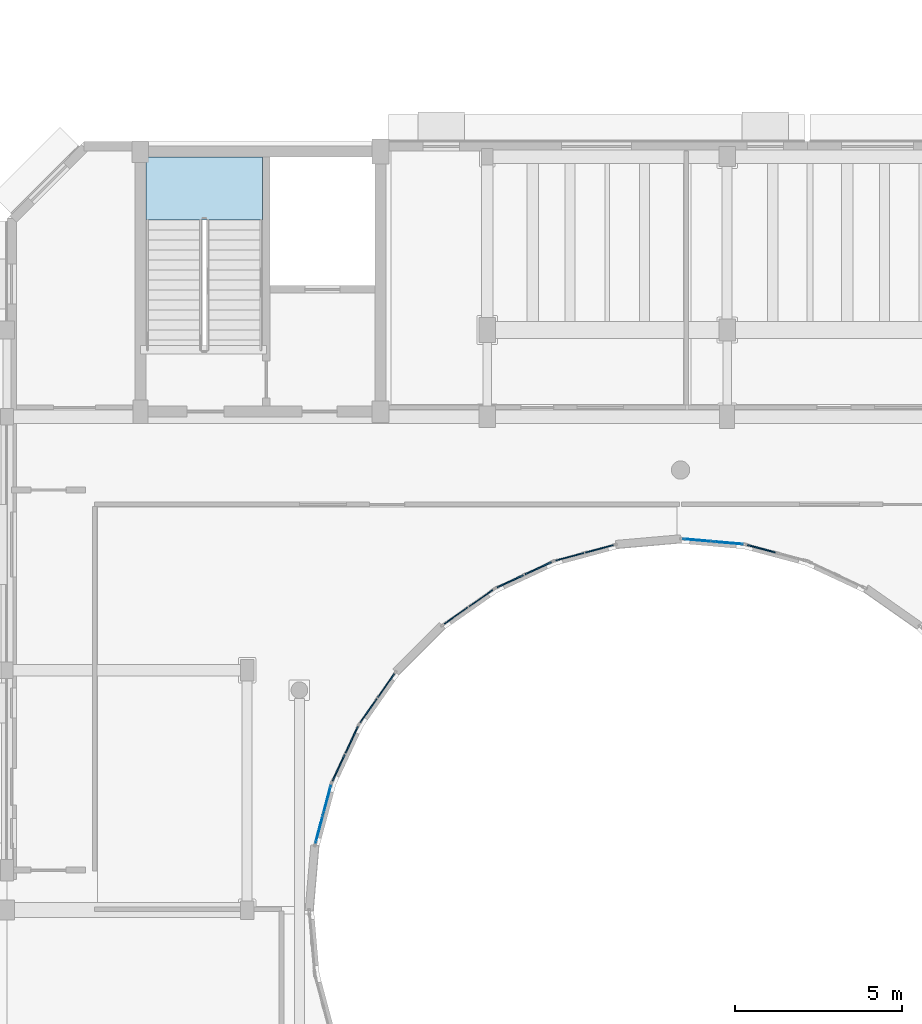
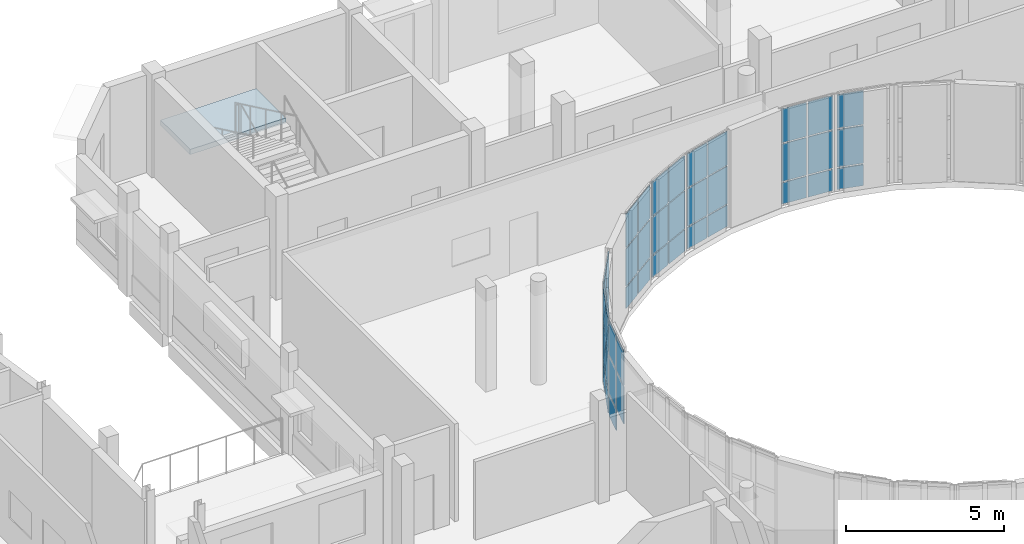
# One storey, part 55 of 92: 44 plates, 1 slab, 9 elements without a shape of their own.
"""IFC4 building model written with IfcOpenShell, lengths in metres."""

from ifc_helpers import new_model, si_unit, direction, frame, origin, origin_2d, place, context, subcontext, project, spatial, polyline, rectangle, outline, extrude, material, layer, layer_set, type_object, element, aggregate, save


model = new_model("IFC4")

# Units and contexts
model_context = context("Model", 3, precision=1e-05, world=origin(), true_north=direction((0.0, 1.0)))
body_context = subcontext(model_context, "Body", "Model", "MODEL_VIEW")
ifc_project = project(units=[si_unit("LENGTHUNIT", "METRE"), si_unit("AREAUNIT", "SQUARE_METRE"), si_unit("VOLUMEUNIT", "CUBIC_METRE"), si_unit("PLANEANGLEUNIT", "RADIAN"), si_unit("MASSUNIT", "GRAM", prefix="KILO")], contexts=[model_context])

# Site, building, storey
site_placement = place(None, origin())
site = spatial("IfcSite", under=ifc_project, at=site_placement, CompositionType="ELEMENT")
building_placement = place(site_placement, origin())
building = spatial("IfcBuilding", under=site, at=building_placement, Name="Kelanivale Promenade Academy", CompositionType="ELEMENT")
storey_placement = place(building_placement, frame((0.0, 0.0, 8.199951171875)))
storey = spatial("IfcBuildingStorey", under=building, at=storey_placement, Name="L02", CompositionType="ELEMENT", Elevation=8.199951171875)

# Curtain wall, plates
ifc_material_1 = material(Name="Bronze anodised aluminium and solar-control low-E glass", Category="aluminium")
ifc_layer_1 = layer(ifc_material_1, 0.169921875)
ifc_layer_set_1 = layer_set([ifc_layer_1], Name="Bronze anodised aluminium and solar-control low-E glass")
curtain_wall_type_1 = type_object("IfcCurtainWallType", Name="CW-13 Curtain Wall 1350mm Module", PredefinedType="USERDEFINED", material=ifc_layer_set_1)
curtain_wall_1_placement = place(storey_placement, origin())
curtain_wall_1 = element("IfcCurtainWall", 1, at=curtain_wall_1_placement, inside=storey, type_object=curtain_wall_type_1, Name="L02 courtyard curtain wall CW-13", ObjectType="COURTYARD SCREEN GLAZING", PredefinedType="USERDEFINED")
ifc_material_2 = material(Name="Solar-control double glazing 28 mm", Category="glass")
ifc_layer_2 = layer(ifc_material_2, 0.028076171875)
ifc_layer_set_2 = layer_set([ifc_layer_2], Name="Solar-control double glazing 28 mm")
plate_type_1 = type_object("IfcPlateType", Name="CWP-01 Plate 28mm", PredefinedType="CURTAIN_PANEL", material=ifc_layer_set_2)
plate_1_placement = place(storey_placement, frame((64.833251953125, 67.814697265625, 0.05029296875), z_axis=(0.0, 0.0, 1.0), x_axis=(-0.996185153601, 0.087264768066, 0.0)))
plate_1 = element("IfcPlate", 2, at=plate_1_placement, type_object=plate_type_1, Name="CW-13 panel 1.1", PredefinedType="CURTAIN_PANEL", context=body_context, shape_type="SweptSolid", body=[
    extrude(rectangle(XDim=0.861083984375, YDim=0.028076171875, at=origin_2d()), origin(), (0.0, 0.0, 1.0), 0.824951171875),
])
plate_2_placement = place(storey_placement, frame((64.833251953125, 67.814697265625, 0.92529296875), z_axis=(0.0, 0.0, 1.0), x_axis=(-0.996185153601, 0.087264768066, 0.0)))
plate_2 = element("IfcPlate", 3, at=plate_2_placement, type_object=plate_type_1, Name="CW-13 panel 1.2", PredefinedType="CURTAIN_PANEL", context=body_context, shape_type="SweptSolid", body=[
    extrude(rectangle(XDim=0.861083984375, YDim=0.028076171875, at=origin_2d()), origin(), (0.0, 0.0, 1.0), 1.449951171875),
])
plate_3_placement = place(storey_placement, frame((64.833251953125, 67.814697265625, 2.42529296875), z_axis=(0.0, 0.0, 1.0), x_axis=(-0.996185153601, 0.087264768066, 0.0)))
plate_3 = element("IfcPlate", 4, at=plate_3_placement, type_object=plate_type_1, Name="CW-13 panel 1.3", PredefinedType="CURTAIN_PANEL", context=body_context, shape_type="SweptSolid", body=[
    extrude(rectangle(XDim=0.861083984375, YDim=0.028076171875, at=origin_2d()), origin(), (0.0, 0.0, 1.0), 1.304931640625),
])
plate_4_placement = place(storey_placement, frame((63.915771484375, 67.895263671875, 0.05029296875), z_axis=(0.0, 0.0, 1.0), x_axis=(-0.996185153601, 0.087264768066, 0.0)))
plate_4 = element("IfcPlate", 5, at=plate_4_placement, type_object=plate_type_1, Name="CW-13 panel 2.1", PredefinedType="CURTAIN_PANEL", context=body_context, shape_type="SweptSolid", body=[
    extrude(rectangle(XDim=0.861083984375, YDim=0.028076171875, at=origin_2d()), origin(), (0.0, 0.0, 1.0), 0.824951171875),
])
plate_5_placement = place(storey_placement, frame((63.915771484375, 67.895263671875, 0.92529296875), z_axis=(0.0, 0.0, 1.0), x_axis=(-0.996185153601, 0.087264768066, 0.0)))
plate_5 = element("IfcPlate", 6, at=plate_5_placement, type_object=plate_type_1, Name="CW-13 panel 2.2", PredefinedType="CURTAIN_PANEL", context=body_context, shape_type="SweptSolid", body=[
    extrude(rectangle(XDim=0.861083984375, YDim=0.028076171875, at=origin_2d()), origin(), (0.0, 0.0, 1.0), 1.449951171875),
])
plate_6_placement = place(storey_placement, frame((63.915771484375, 67.895263671875, 2.42529296875), z_axis=(0.0, 0.0, 1.0), x_axis=(-0.996185153601, 0.087264768066, 0.0)))
plate_6 = element("IfcPlate", 7, at=plate_6_placement, type_object=plate_type_1, Name="CW-13 panel 2.3", PredefinedType="CURTAIN_PANEL", context=body_context, shape_type="SweptSolid", body=[
    extrude(rectangle(XDim=0.861083984375, YDim=0.028076171875, at=origin_2d()), origin(), (0.0, 0.0, 1.0), 1.304931640625),
])
aggregate(curtain_wall_1, [plate_1, plate_2, plate_3, plate_4, plate_5, plate_6])

ifc_layer_3 = layer(ifc_material_1, 0.169921875)
ifc_layer_set_3 = layer_set([ifc_layer_3], Name="Bronze anodised aluminium and solar-control low-E glass")
curtain_wall_type_2 = type_object("IfcCurtainWallType", Name="CW-16 Curtain Wall 1800mm Module", PredefinedType="USERDEFINED", material=ifc_layer_set_3)
curtain_wall_2_placement = place(storey_placement, origin())
curtain_wall_2 = element("IfcCurtainWall", 8, at=curtain_wall_2_placement, inside=storey, type_object=curtain_wall_type_2, Name="L02 courtyard curtain wall CW-16", ObjectType="COURTYARD SCREEN GLAZING", PredefinedType="USERDEFINED")
plate_7_placement = place(storey_placement, frame((57.4169921875, 66.158935546875, 0.06005859375), z_axis=(0.0, 0.0, 1.0), x_axis=(-0.819305982099, -0.573356527561, 0.0)))
plate_7 = element("IfcPlate", 9, at=plate_7_placement, type_object=plate_type_1, Name="CW-16 panel 1.1", PredefinedType="CURTAIN_PANEL", context=body_context, shape_type="SweptSolid", body=[
    extrude(rectangle(XDim=0.85400390625, YDim=0.028076171875, at=origin_2d()), origin(), (0.0, 0.0, 1.0), 0.81005859375),
])
plate_8_placement = place(storey_placement, frame((57.4169921875, 66.158935546875, 0.93017578125), z_axis=(0.0, 0.0, 1.0), x_axis=(-0.819305982099, -0.573356527561, 0.0)))
plate_8 = element("IfcPlate", 10, at=plate_8_placement, type_object=plate_type_1, Name="CW-16 panel 1.2", PredefinedType="CURTAIN_PANEL", context=body_context, shape_type="SweptSolid", body=[
    extrude(rectangle(XDim=0.85400390625, YDim=0.028076171875, at=origin_2d()), origin(), (0.0, 0.0, 1.0), 1.43994140625),
])
plate_9_placement = place(storey_placement, frame((57.4169921875, 66.158935546875, 2.429931640625), z_axis=(0.0, 0.0, 1.0), x_axis=(-0.819305982099, -0.573356527561, 0.0)))
plate_9 = element("IfcPlate", 11, at=plate_9_placement, type_object=plate_type_1, Name="CW-16 panel 1.3", PredefinedType="CURTAIN_PANEL", context=body_context, shape_type="SweptSolid", body=[
    extrude(rectangle(XDim=0.85400390625, YDim=0.028076171875, at=origin_2d()), origin(), (0.0, 0.0, 1.0), 1.2900390625),
])
plate_10_placement = place(storey_placement, frame((56.6640625, 65.632080078125, 0.06005859375), z_axis=(0.0, 0.0, 1.0), x_axis=(-0.819305982099, -0.573356527561, 0.0)))
plate_10 = element("IfcPlate", 12, at=plate_10_placement, type_object=plate_type_1, Name="CW-16 panel 2.1", PredefinedType="CURTAIN_PANEL", context=body_context, shape_type="SweptSolid", body=[
    extrude(rectangle(XDim=0.85400390625, YDim=0.028076171875, at=origin_2d()), origin(), (0.0, 0.0, 1.0), 0.81005859375),
])
plate_11_placement = place(storey_placement, frame((56.6640625, 65.632080078125, 0.93017578125), z_axis=(0.0, 0.0, 1.0), x_axis=(-0.819305982099, -0.573356527561, 0.0)))
plate_11 = element("IfcPlate", 13, at=plate_11_placement, type_object=plate_type_1, Name="CW-16 panel 2.2", PredefinedType="CURTAIN_PANEL", context=body_context, shape_type="SweptSolid", body=[
    extrude(rectangle(XDim=0.85400390625, YDim=0.028076171875, at=origin_2d()), origin(), (0.0, 0.0, 1.0), 1.43994140625),
])
plate_12_placement = place(storey_placement, frame((56.6640625, 65.632080078125, 2.429931640625), z_axis=(0.0, 0.0, 1.0), x_axis=(-0.819305982099, -0.573356527561, 0.0)))
plate_12 = element("IfcPlate", 14, at=plate_12_placement, type_object=plate_type_1, Name="CW-16 panel 2.3", PredefinedType="CURTAIN_PANEL", context=body_context, shape_type="SweptSolid", body=[
    extrude(rectangle(XDim=0.85400390625, YDim=0.028076171875, at=origin_2d()), origin(), (0.0, 0.0, 1.0), 1.2900390625),
])
aggregate(curtain_wall_2, [plate_7, plate_8, plate_9, plate_10, plate_11, plate_12])

ifc_layer_4 = layer(ifc_material_1, 0.169921875)
ifc_layer_set_4 = layer_set([ifc_layer_4], Name="Bronze anodised aluminium and solar-control low-E glass")
curtain_wall_type_3 = type_object("IfcCurtainWallType", Name="CW-19 Curtain Wall 1350mm Module", PredefinedType="USERDEFINED", material=ifc_layer_set_4)
curtain_wall_3_placement = place(storey_placement, origin())
curtain_wall_3 = element("IfcCurtainWall", 15, at=curtain_wall_3_placement, inside=storey, type_object=curtain_wall_type_3, Name="L02 courtyard curtain wall CW-19", ObjectType="COURTYARD SCREEN GLAZING", PredefinedType="USERDEFINED")
plate_13_placement = place(storey_placement, frame((52.80078125, 60.122802734375, 0.05029296875), z_axis=(0.0, 0.0, 1.0), x_axis=(-0.258578458902, -0.965990259056, 0.0)))
plate_13 = element("IfcPlate", 16, at=plate_13_placement, type_object=plate_type_1, Name="CW-19 panel 1.1", PredefinedType="CURTAIN_PANEL", context=body_context, shape_type="SweptSolid", body=[
    extrude(rectangle(XDim=0.853759765625, YDim=0.028076171875, at=origin_2d()), origin(), (0.0, 0.0, 1.0), 0.824951171875),
])
plate_14_placement = place(storey_placement, frame((52.80078125, 60.122802734375, 0.92529296875), z_axis=(0.0, 0.0, 1.0), x_axis=(-0.258578458902, -0.965990259056, 0.0)))
plate_14 = element("IfcPlate", 17, at=plate_14_placement, type_object=plate_type_1, Name="CW-19 panel 1.2", PredefinedType="CURTAIN_PANEL", context=body_context, shape_type="SweptSolid", body=[
    extrude(rectangle(XDim=0.853759765625, YDim=0.028076171875, at=origin_2d()), origin(), (0.0, 0.0, 1.0), 1.449951171875),
])
plate_15_placement = place(storey_placement, frame((52.80078125, 60.122802734375, 2.42529296875), z_axis=(0.0, 0.0, 1.0), x_axis=(-0.258578458902, -0.965990259056, 0.0)))
plate_15 = element("IfcPlate", 18, at=plate_15_placement, type_object=plate_type_1, Name="CW-19 panel 1.3", PredefinedType="CURTAIN_PANEL", context=body_context, shape_type="SweptSolid", body=[
    extrude(rectangle(XDim=0.853759765625, YDim=0.028076171875, at=origin_2d()), origin(), (0.0, 0.0, 1.0), 1.304931640625),
])
plate_16_placement = place(storey_placement, frame((52.563232421875, 59.235107421875, 0.92529296875), z_axis=(0.0, 0.0, 1.0), x_axis=(-0.258578458902, -0.965990259056, 0.0)))
plate_16 = element("IfcPlate", 19, at=plate_16_placement, type_object=plate_type_1, Name="CW-19 panel 2.2", PredefinedType="CURTAIN_PANEL", context=body_context, shape_type="SweptSolid", body=[
    extrude(rectangle(XDim=0.853759765625, YDim=0.028076171875, at=origin_2d()), origin(), (0.0, 0.0, 1.0), 1.449951171875),
])
plate_17_placement = place(storey_placement, frame((52.563232421875, 59.235107421875, 2.42529296875), z_axis=(0.0, 0.0, 1.0), x_axis=(-0.258578458902, -0.965990259056, 0.0)))
plate_17 = element("IfcPlate", 20, at=plate_17_placement, type_object=plate_type_1, Name="CW-19 panel 2.3", PredefinedType="CURTAIN_PANEL", context=body_context, shape_type="SweptSolid", body=[
    extrude(rectangle(XDim=0.853759765625, YDim=0.028076171875, at=origin_2d()), origin(), (0.0, 0.0, 1.0), 1.304931640625),
])
aggregate(curtain_wall_3, [plate_13, plate_14, plate_15, plate_16, plate_17])

ifc_layer_5 = layer(ifc_material_1, 0.179931640625)
ifc_layer_set_5 = layer_set([ifc_layer_5], Name="Bronze anodised aluminium and solar-control low-E glass")
curtain_wall_type_4 = type_object("IfcCurtainWallType", Name="CW-14 Curtain Wall 1500mm Module", PredefinedType="USERDEFINED", material=ifc_layer_set_5)
curtain_wall_4_placement = place(storey_placement, origin())
curtain_wall_4 = element("IfcCurtainWall", 21, at=curtain_wall_4_placement, inside=storey, type_object=curtain_wall_type_4, Name="L02 courtyard curtain wall CW-14", ObjectType="COURTYARD SCREEN GLAZING", PredefinedType="USERDEFINED")
ifc_material_3 = material(Name="Acoustic laminated double glazing 36 mm", Category="glass")
ifc_layer_6 = layer(ifc_material_3, 0.035888671875)
ifc_layer_set_6 = layer_set([ifc_layer_6], Name="Acoustic laminated double glazing 36 mm")
plate_type_2 = type_object("IfcPlateType", Name="CWP-02 Plate 36mm", PredefinedType="CURTAIN_PANEL", material=ifc_layer_set_6)
plate_18_placement = place(storey_placement, frame((60.966064453125, 67.63720703125, 0.05029296875), z_axis=(0.0, 0.0, 1.0), x_axis=(-0.965990259056, -0.258578458902, 0.0)))
plate_18 = element("IfcPlate", 22, at=plate_18_placement, type_object=plate_type_2, Name="CW-14 panel 1.1", PredefinedType="CURTAIN_PANEL", context=body_context, shape_type="SweptSolid", body=[
    extrude(rectangle(XDim=0.861328125, YDim=0.035888671875, at=origin_2d()), origin(), (0.0, 0.0, 1.0), 0.824951171875),
])
plate_19_placement = place(storey_placement, frame((60.966064453125, 67.63720703125, 0.92529296875), z_axis=(0.0, 0.0, 1.0), x_axis=(-0.965990259056, -0.258578458902, 0.0)))
plate_19 = element("IfcPlate", 23, at=plate_19_placement, type_object=plate_type_2, Name="CW-14 panel 1.2", PredefinedType="CURTAIN_PANEL", context=body_context, shape_type="SweptSolid", body=[
    extrude(rectangle(XDim=0.861328125, YDim=0.035888671875, at=origin_2d()), origin(), (0.0, 0.0, 1.0), 1.449951171875),
])
plate_20_placement = place(storey_placement, frame((60.966064453125, 67.63720703125, 2.42529296875), z_axis=(0.0, 0.0, 1.0), x_axis=(-0.965990259056, -0.258578458902, 0.0)))
plate_20 = element("IfcPlate", 24, at=plate_20_placement, type_object=plate_type_2, Name="CW-14 panel 1.3", PredefinedType="CURTAIN_PANEL", context=body_context, shape_type="SweptSolid", body=[
    extrude(rectangle(XDim=0.861328125, YDim=0.035888671875, at=origin_2d()), origin(), (0.0, 0.0, 1.0), 1.304931640625),
])
plate_21_placement = place(storey_placement, frame((60.075927734375, 67.39892578125, 0.05029296875), z_axis=(0.0, 0.0, 1.0), x_axis=(-0.965990259056, -0.258578458902, 0.0)))
plate_21 = element("IfcPlate", 25, at=plate_21_placement, type_object=plate_type_2, Name="CW-14 panel 2.1", PredefinedType="CURTAIN_PANEL", context=body_context, shape_type="SweptSolid", body=[
    extrude(rectangle(XDim=0.861328125, YDim=0.035888671875, at=origin_2d()), origin(), (0.0, 0.0, 1.0), 0.824951171875),
])
plate_22_placement = place(storey_placement, frame((60.075927734375, 67.39892578125, 0.92529296875), z_axis=(0.0, 0.0, 1.0), x_axis=(-0.965990259056, -0.258578458902, 0.0)))
plate_22 = element("IfcPlate", 26, at=plate_22_placement, type_object=plate_type_2, Name="CW-14 panel 2.2", PredefinedType="CURTAIN_PANEL", context=body_context, shape_type="SweptSolid", body=[
    extrude(rectangle(XDim=0.861328125, YDim=0.035888671875, at=origin_2d()), origin(), (0.0, 0.0, 1.0), 1.449951171875),
])
plate_23_placement = place(storey_placement, frame((60.075927734375, 67.39892578125, 2.42529296875), z_axis=(0.0, 0.0, 1.0), x_axis=(-0.965990259056, -0.258578458902, 0.0)))
plate_23 = element("IfcPlate", 27, at=plate_23_placement, type_object=plate_type_2, Name="CW-14 panel 2.3", PredefinedType="CURTAIN_PANEL", context=body_context, shape_type="SweptSolid", body=[
    extrude(rectangle(XDim=0.861328125, YDim=0.035888671875, at=origin_2d()), origin(), (0.0, 0.0, 1.0), 1.304931640625),
])
aggregate(curtain_wall_4, [plate_18, plate_19, plate_20, plate_21, plate_22, plate_23])

ifc_layer_7 = layer(ifc_material_1, 0.179931640625)
ifc_layer_set_7 = layer_set([ifc_layer_7], Name="Bronze anodised aluminium and solar-control low-E glass")
curtain_wall_type_5 = type_object("IfcCurtainWallType", Name="CW-17 Curtain Wall 1950mm Module", PredefinedType="USERDEFINED", material=ifc_layer_set_7)
curtain_wall_5_placement = place(storey_placement, origin())
curtain_wall_5 = element("IfcCurtainWall", 28, at=curtain_wall_5_placement, inside=storey, type_object=curtain_wall_type_5, Name="L02 courtyard curtain wall CW-17", ObjectType="COURTYARD SCREEN GLAZING", PredefinedType="USERDEFINED")
plate_24_placement = place(storey_placement, frame((54.568603515625, 63.536865234375, 0.05029296875), z_axis=(0.0, 0.0, 1.0), x_axis=(-0.573356527561, -0.819305982099, 0.0)))
plate_24 = element("IfcPlate", 29, at=plate_24_placement, type_object=plate_type_2, Name="CW-17 panel 1.1", PredefinedType="CURTAIN_PANEL", context=body_context, shape_type="SweptSolid", body=[
    extrude(rectangle(XDim=0.861328125, YDim=0.035888671875, at=origin_2d()), origin(), (0.0, 0.0, 1.0), 0.824951171875),
])
plate_25_placement = place(storey_placement, frame((54.568603515625, 63.536865234375, 0.92529296875), z_axis=(0.0, 0.0, 1.0), x_axis=(-0.573356527561, -0.819305982099, 0.0)))
plate_25 = element("IfcPlate", 30, at=plate_25_placement, type_object=plate_type_2, Name="CW-17 panel 1.2", PredefinedType="CURTAIN_PANEL", context=body_context, shape_type="SweptSolid", body=[
    extrude(rectangle(XDim=0.861328125, YDim=0.035888671875, at=origin_2d()), origin(), (0.0, 0.0, 1.0), 1.449951171875),
])
plate_26_placement = place(storey_placement, frame((54.568603515625, 63.536865234375, 2.42529296875), z_axis=(0.0, 0.0, 1.0), x_axis=(-0.573356527561, -0.819305982099, 0.0)))
plate_26 = element("IfcPlate", 31, at=plate_26_placement, type_object=plate_type_2, Name="CW-17 panel 1.3", PredefinedType="CURTAIN_PANEL", context=body_context, shape_type="SweptSolid", body=[
    extrude(rectangle(XDim=0.861328125, YDim=0.035888671875, at=origin_2d()), origin(), (0.0, 0.0, 1.0), 1.304931640625),
])
plate_27_placement = place(storey_placement, frame((54.040283203125, 62.781982421875, 0.05029296875), z_axis=(0.0, 0.0, 1.0), x_axis=(-0.573356527561, -0.819305982099, 0.0)))
plate_27 = element("IfcPlate", 32, at=plate_27_placement, type_object=plate_type_2, Name="CW-17 panel 2.1", PredefinedType="CURTAIN_PANEL", context=body_context, shape_type="SweptSolid", body=[
    extrude(rectangle(XDim=0.861328125, YDim=0.035888671875, at=origin_2d()), origin(), (0.0, 0.0, 1.0), 0.824951171875),
])
plate_28_placement = place(storey_placement, frame((54.040283203125, 62.781982421875, 0.92529296875), z_axis=(0.0, 0.0, 1.0), x_axis=(-0.573356527561, -0.819305982099, 0.0)))
plate_28 = element("IfcPlate", 33, at=plate_28_placement, type_object=plate_type_2, Name="CW-17 panel 2.2", PredefinedType="CURTAIN_PANEL", context=body_context, shape_type="SweptSolid", body=[
    extrude(rectangle(XDim=0.861328125, YDim=0.035888671875, at=origin_2d()), origin(), (0.0, 0.0, 1.0), 1.449951171875),
])
plate_29_placement = place(storey_placement, frame((54.040283203125, 62.781982421875, 2.42529296875), z_axis=(0.0, 0.0, 1.0), x_axis=(-0.573356527561, -0.819305982099, 0.0)))
plate_29 = element("IfcPlate", 34, at=plate_29_placement, type_object=plate_type_2, Name="CW-17 panel 2.3", PredefinedType="CURTAIN_PANEL", context=body_context, shape_type="SweptSolid", body=[
    extrude(rectangle(XDim=0.861328125, YDim=0.035888671875, at=origin_2d()), origin(), (0.0, 0.0, 1.0), 1.304931640625),
])
aggregate(curtain_wall_5, [plate_24, plate_25, plate_26, plate_27, plate_28, plate_29])

ifc_layer_8 = layer(ifc_material_1, 0.159912109375)
ifc_layer_set_8 = layer_set([ifc_layer_8], Name="Bronze anodised aluminium and solar-control low-E glass")
curtain_wall_type_6 = type_object("IfcCurtainWallType", Name="CW-12 Curtain Wall 1200mm Module", PredefinedType="USERDEFINED", material=ifc_layer_set_8)
curtain_wall_6_placement = place(storey_placement, origin())
curtain_wall_6 = element("IfcCurtainWall", 35, at=curtain_wall_6_placement, inside=storey, type_object=curtain_wall_type_6, Name="L02 courtyard curtain wall CW-12", ObjectType="UNITISED GLAZING", PredefinedType="USERDEFINED")
ifc_material_4 = material(Name="Insulated bronze aluminium spandrel panel 44 mm", Category="aluminium")
ifc_layer_9 = layer(ifc_material_4, 0.0439453125)
ifc_layer_set_9 = layer_set([ifc_layer_9], Name="Insulated bronze aluminium spandrel panel 44 mm")
plate_type_3 = type_object("IfcPlateType", Name="CWP-03 Plate 44mm", PredefinedType="CURTAIN_PANEL", material=ifc_layer_set_9)
plate_30_placement = place(storey_placement, frame((65.82470703125, 67.639892578125, 0.06005859375), z_axis=(0.0, 0.0, 1.0), x_axis=(-0.96595736195, 0.258701323721, 0.0)))
plate_30 = element("IfcPlate", 36, at=plate_30_placement, type_object=plate_type_3, Name="CW-12 panel 2.1", PredefinedType="CURTAIN_PANEL", context=body_context, shape_type="SweptSolid", body=[
    extrude(rectangle(XDim=0.861083984375, YDim=0.0439453125, at=origin_2d()), origin(), (0.0, 0.0, 1.0), 0.81005859375),
])
plate_31_placement = place(storey_placement, frame((65.82470703125, 67.639892578125, 0.93017578125), z_axis=(0.0, 0.0, 1.0), x_axis=(-0.96595736195, 0.258701323721, 0.0)))
plate_31 = element("IfcPlate", 37, at=plate_31_placement, type_object=plate_type_3, Name="CW-12 panel 2.2", PredefinedType="CURTAIN_PANEL", context=body_context, shape_type="SweptSolid", body=[
    extrude(rectangle(XDim=0.861083984375, YDim=0.0439453125, at=origin_2d()), origin(), (0.0, 0.0, 1.0), 1.43994140625),
])
plate_32_placement = place(storey_placement, frame((65.82470703125, 67.639892578125, 2.429931640625), z_axis=(0.0, 0.0, 1.0), x_axis=(-0.96595736195, 0.258701323721, 0.0)))
plate_32 = element("IfcPlate", 38, at=plate_32_placement, type_object=plate_type_3, Name="CW-12 panel 2.3", PredefinedType="CURTAIN_PANEL", context=body_context, shape_type="SweptSolid", body=[
    extrude(rectangle(XDim=0.861083984375, YDim=0.0439453125, at=origin_2d()), origin(), (0.0, 0.0, 1.0), 1.2900390625),
])
aggregate(curtain_wall_6, [plate_30, plate_31, plate_32])

ifc_layer_10 = layer(ifc_material_1, 0.159912109375)
ifc_layer_set_10 = layer_set([ifc_layer_10], Name="Bronze anodised aluminium and solar-control low-E glass")
curtain_wall_type_7 = type_object("IfcCurtainWallType", Name="CW-15 Curtain Wall 1650mm Module", PredefinedType="USERDEFINED", material=ifc_layer_set_10)
curtain_wall_7_placement = place(storey_placement, origin())
curtain_wall_7 = element("IfcCurtainWall", 39, at=curtain_wall_7_placement, inside=storey, type_object=curtain_wall_type_7, Name="L02 courtyard curtain wall CW-15", ObjectType="COURTYARD SCREEN GLAZING", PredefinedType="USERDEFINED")
plate_33_placement = place(storey_placement, frame((59.1298828125, 67.054443359375, 0.05029296875), z_axis=(0.0, 0.0, 1.0), x_axis=(-0.906196460032, -0.422856921222, 0.0)))
plate_33 = element("IfcPlate", 40, at=plate_33_placement, type_object=plate_type_3, Name="CW-15 panel 1.1", PredefinedType="CURTAIN_PANEL", context=body_context, shape_type="SweptSolid", body=[
    extrude(rectangle(XDim=0.861572265625, YDim=0.0439453125, at=origin_2d()), origin(), (0.0, 0.0, 1.0), 0.824951171875),
])
plate_34_placement = place(storey_placement, frame((59.1298828125, 67.054443359375, 0.92529296875), z_axis=(0.0, 0.0, 1.0), x_axis=(-0.906196460032, -0.422856921222, 0.0)))
plate_34 = element("IfcPlate", 41, at=plate_34_placement, type_object=plate_type_3, Name="CW-15 panel 1.2", PredefinedType="CURTAIN_PANEL", context=body_context, shape_type="SweptSolid", body=[
    extrude(rectangle(XDim=0.861572265625, YDim=0.0439453125, at=origin_2d()), origin(), (0.0, 0.0, 1.0), 1.449951171875),
])
plate_35_placement = place(storey_placement, frame((59.1298828125, 67.054443359375, 2.42529296875), z_axis=(0.0, 0.0, 1.0), x_axis=(-0.906196460032, -0.422856921222, 0.0)))
plate_35 = element("IfcPlate", 42, at=plate_35_placement, type_object=plate_type_3, Name="CW-15 panel 1.3", PredefinedType="CURTAIN_PANEL", context=body_context, shape_type="SweptSolid", body=[
    extrude(rectangle(XDim=0.861572265625, YDim=0.0439453125, at=origin_2d()), origin(), (0.0, 0.0, 1.0), 1.304931640625),
])
plate_36_placement = place(storey_placement, frame((58.290283203125, 66.66259765625, 0.05029296875), z_axis=(0.0, 0.0, 1.0), x_axis=(-0.906196460032, -0.422856921222, 0.0)))
plate_36 = element("IfcPlate", 43, at=plate_36_placement, type_object=plate_type_3, Name="CW-15 panel 2.1", PredefinedType="CURTAIN_PANEL", context=body_context, shape_type="SweptSolid", body=[
    extrude(rectangle(XDim=0.861572265625, YDim=0.0439453125, at=origin_2d()), origin(), (0.0, 0.0, 1.0), 0.824951171875),
])
plate_37_placement = place(storey_placement, frame((58.290283203125, 66.66259765625, 0.92529296875), z_axis=(0.0, 0.0, 1.0), x_axis=(-0.906196460032, -0.422856921222, 0.0)))
plate_37 = element("IfcPlate", 44, at=plate_37_placement, type_object=plate_type_3, Name="CW-15 panel 2.2", PredefinedType="CURTAIN_PANEL", context=body_context, shape_type="SweptSolid", body=[
    extrude(rectangle(XDim=0.861572265625, YDim=0.0439453125, at=origin_2d()), origin(), (0.0, 0.0, 1.0), 1.449951171875),
])
plate_38_placement = place(storey_placement, frame((58.290283203125, 66.66259765625, 2.42529296875), z_axis=(0.0, 0.0, 1.0), x_axis=(-0.906196460032, -0.422856921222, 0.0)))
plate_38 = element("IfcPlate", 45, at=plate_38_placement, type_object=plate_type_3, Name="CW-15 panel 2.3", PredefinedType="CURTAIN_PANEL", context=body_context, shape_type="SweptSolid", body=[
    extrude(rectangle(XDim=0.861572265625, YDim=0.0439453125, at=origin_2d()), origin(), (0.0, 0.0, 1.0), 1.304931640625),
])
aggregate(curtain_wall_7, [plate_33, plate_34, plate_35, plate_36, plate_37, plate_38])

ifc_layer_11 = layer(ifc_material_1, 0.159912109375)
ifc_layer_set_11 = layer_set([ifc_layer_11], Name="Bronze anodised aluminium and solar-control low-E glass")
curtain_wall_type_8 = type_object("IfcCurtainWallType", Name="CW-18 Curtain Wall 1200mm Module", PredefinedType="USERDEFINED", material=ifc_layer_set_11)
curtain_wall_8_placement = place(storey_placement, origin())
curtain_wall_8 = element("IfcCurtainWall", 46, at=curtain_wall_8_placement, inside=storey, type_object=curtain_wall_type_8, Name="L02 courtyard curtain wall CW-18", ObjectType="COURTYARD SCREEN GLAZING", PredefinedType="USERDEFINED")
plate_39_placement = place(storey_placement, frame((53.537841796875, 61.910888671875, 0.05029296875), z_axis=(0.0, 0.0, 1.0), x_axis=(-0.422856921222, -0.906196460032, 0.0)))
plate_39 = element("IfcPlate", 47, at=plate_39_placement, type_object=plate_type_3, Name="CW-18 panel 1.1", PredefinedType="CURTAIN_PANEL", context=body_context, shape_type="SweptSolid", body=[
    extrude(rectangle(XDim=0.868896484375, YDim=0.0439453125, at=origin_2d()), origin(), (0.0, 0.0, 1.0), 0.824951171875),
])
plate_40_placement = place(storey_placement, frame((53.537841796875, 61.910888671875, 0.92529296875), z_axis=(0.0, 0.0, 1.0), x_axis=(-0.422856921222, -0.906196460032, 0.0)))
plate_40 = element("IfcPlate", 48, at=plate_40_placement, type_object=plate_type_3, Name="CW-18 panel 1.2", PredefinedType="CURTAIN_PANEL", context=body_context, shape_type="SweptSolid", body=[
    extrude(rectangle(XDim=0.868896484375, YDim=0.0439453125, at=origin_2d()), origin(), (0.0, 0.0, 1.0), 1.449951171875),
])
plate_41_placement = place(storey_placement, frame((53.537841796875, 61.910888671875, 2.42529296875), z_axis=(0.0, 0.0, 1.0), x_axis=(-0.422856921222, -0.906196460032, 0.0)))
plate_41 = element("IfcPlate", 49, at=plate_41_placement, type_object=plate_type_3, Name="CW-18 panel 1.3", PredefinedType="CURTAIN_PANEL", context=body_context, shape_type="SweptSolid", body=[
    extrude(rectangle(XDim=0.868896484375, YDim=0.0439453125, at=origin_2d()), origin(), (0.0, 0.0, 1.0), 1.304931640625),
])
plate_42_placement = place(storey_placement, frame((53.14501953125, 61.069091796875, 0.05029296875), z_axis=(0.0, 0.0, 1.0), x_axis=(-0.422856921222, -0.906196460032, 0.0)))
plate_42 = element("IfcPlate", 50, at=plate_42_placement, type_object=plate_type_3, Name="CW-18 panel 2.1", PredefinedType="CURTAIN_PANEL", context=body_context, shape_type="SweptSolid", body=[
    extrude(rectangle(XDim=0.868896484375, YDim=0.0439453125, at=origin_2d()), origin(), (0.0, 0.0, 1.0), 0.824951171875),
])
plate_43_placement = place(storey_placement, frame((53.14501953125, 61.069091796875, 0.92529296875), z_axis=(0.0, 0.0, 1.0), x_axis=(-0.422856921222, -0.906196460032, 0.0)))
plate_43 = element("IfcPlate", 51, at=plate_43_placement, type_object=plate_type_3, Name="CW-18 panel 2.2", PredefinedType="CURTAIN_PANEL", context=body_context, shape_type="SweptSolid", body=[
    extrude(rectangle(XDim=0.868896484375, YDim=0.0439453125, at=origin_2d()), origin(), (0.0, 0.0, 1.0), 1.449951171875),
])
plate_44_placement = place(storey_placement, frame((53.14501953125, 61.069091796875, 2.42529296875), z_axis=(0.0, 0.0, 1.0), x_axis=(-0.422856921222, -0.906196460032, 0.0)))
plate_44 = element("IfcPlate", 52, at=plate_44_placement, type_object=plate_type_3, Name="CW-18 panel 2.3", PredefinedType="CURTAIN_PANEL", context=body_context, shape_type="SweptSolid", body=[
    extrude(rectangle(XDim=0.868896484375, YDim=0.0439453125, at=origin_2d()), origin(), (0.0, 0.0, 1.0), 1.304931640625),
])
aggregate(curtain_wall_8, [plate_39, plate_40, plate_41, plate_42, plate_43, plate_44])

# Stair, slab
ifc_material_5 = material(Name="Concrete C35/45", Category="concrete")
stair_type = type_object("IfcStairType", Name="ST-T02 Protected dog-leg upper-storey stair", PredefinedType="HALF_TURN_STAIR", material=ifc_material_5)
stair_placement = place(storey_placement, origin())
stair = element("IfcStair", 53, at=stair_placement, inside=storey, type_object=stair_type, Name="L02 ST-04", PredefinedType="HALF_TURN_STAIR")
ifc_layer_12 = layer(ifc_material_5, 0.199951171875)
ifc_layer_set_12 = layer_set([ifc_layer_12], Name="Concrete C35/45")
slab_type = type_object("IfcSlabType", Name="LS-01 Slab 200mm", PredefinedType="LANDING", material=ifc_layer_set_12)
slab_placement = place(storey_placement, frame((0.0, 0.0, 1.800048828125)))
slab = element("IfcSlab", 54, at=slab_placement, type_object=slab_type, Name="ST-04 landing 1", PredefinedType="LANDING", context=body_context, shape_type="SweptSolid", body=[
    extrude(outline(polyline([(50.864990234375, 77.5048828125), (50.864990234375, 79.385009765625), (47.364990234375, 79.385009765625), (47.364990234375, 77.5048828125), (50.864990234375, 77.5048828125)])), origin(), (0.0, 0.0, 1.0), 0.199951171875),
])
aggregate(stair, [slab])

save(model, "model.ifc")
